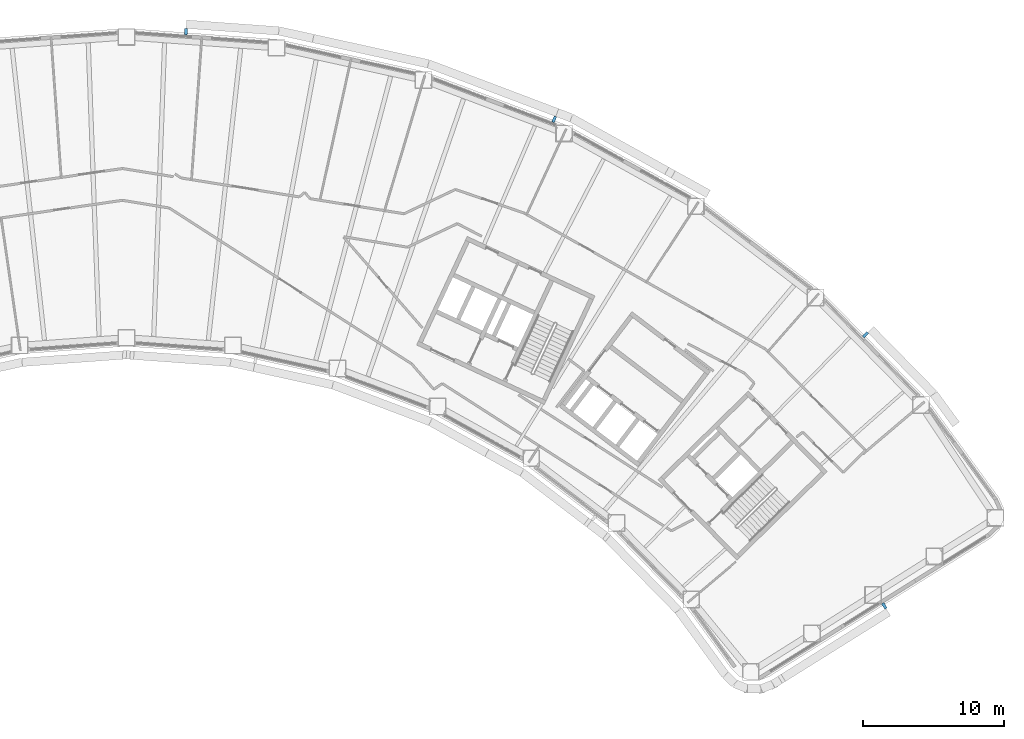
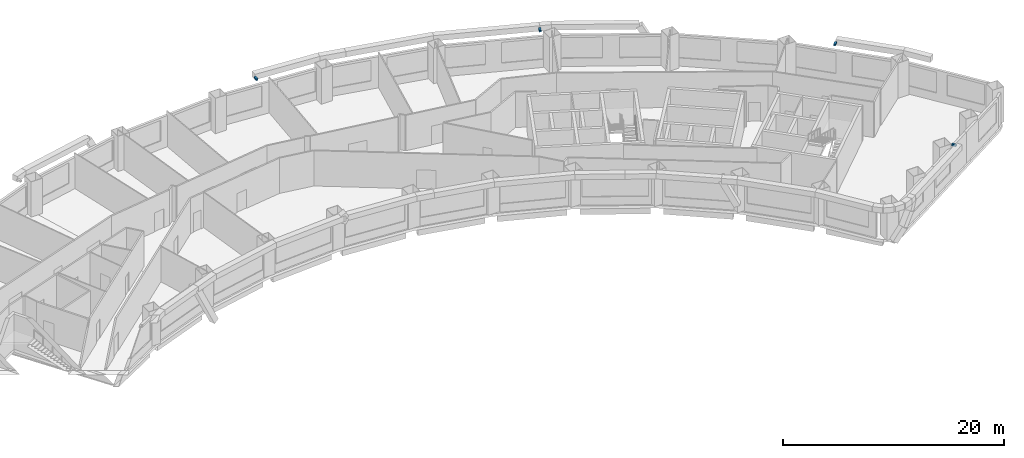
# One storey, part 12 of 15: 4 discrete accessories.
"""IFC4 building model written with IfcOpenShell, lengths in metres."""

from ifc_helpers import new_model, si_unit, direction, frame, origin, origin_2d, place, context, subcontext, project, spatial, rectangle, extrude, material, type_object, element, save


model = new_model("IFC4")

# Units and contexts
model_context = context("Model", 3, precision=1e-05, world=origin(), true_north=direction((0.0, 1.0)))
body_context = subcontext(model_context, "Body", "Model", "MODEL_VIEW")
ifc_project = project(units=[si_unit("LENGTHUNIT", "METRE"), si_unit("AREAUNIT", "SQUARE_METRE"), si_unit("VOLUMEUNIT", "CUBIC_METRE"), si_unit("PLANEANGLEUNIT", "RADIAN"), si_unit("MASSUNIT", "GRAM", prefix="KILO")], contexts=[model_context])

# Site, building, storey
site_placement = place(None, origin())
site = spatial("IfcSite", under=ifc_project, at=site_placement, CompositionType="ELEMENT")
building_placement = place(site_placement, origin())
building = spatial("IfcBuilding", under=site, at=building_placement, Name="Tuul Gate Civic Tower", CompositionType="ELEMENT")
storey_placement = place(building_placement, frame((0.0, 0.0, 78.0)))
storey = spatial("IfcBuildingStorey", under=building, at=storey_placement, Name="Level 17", CompositionType="ELEMENT", Elevation=78.0)

# Discrete accessories
ifc_material = material(Name="Stainless steel", Category="steel")
discrete_accessory_type = type_object("IfcDiscreteAccessoryType", Name="Screen bracket", PredefinedType="BRACKET", material=ifc_material)
discrete_accessory_1_placement = place(storey_placement, frame((57.243896484375, -2.429443359375, 3.75), z_axis=(0.0, 0.0, 1.0), x_axis=(0.70489547187, 0.709311196681, 0.0)))
element("IfcDiscreteAccessory", 1, at=discrete_accessory_1_placement, inside=storey, type_object=discrete_accessory_type, Name="Screen bracket 3", PredefinedType="BRACKET", context=body_context, shape_type="SweptSolid", body=[
    extrude(rectangle(XDim=0.449951171875, YDim=0.199951171875, at=origin_2d()), origin(), (0.0, 0.0, 1.0), 0.199951171875),
])
discrete_accessory_2_placement = place(storey_placement, frame((35.16357421875, 12.850341796875, 3.75), z_axis=(0.0, 0.0, 1.0), x_axis=(0.407436481728, 0.91323354809, 0.0)))
element("IfcDiscreteAccessory", 2, at=discrete_accessory_2_placement, inside=storey, type_object=discrete_accessory_type, Name="Screen bracket 6", PredefinedType="BRACKET", context=body_context, shape_type="SweptSolid", body=[
    extrude(rectangle(XDim=0.45068359375, YDim=0.199951171875, at=origin_2d()), origin(), (0.0, 0.0, 1.0), 0.199951171875),
])
discrete_accessory_3_placement = place(storey_placement, frame((9.03466796875, 19.077392578125, 3.75), z_axis=(0.0, 0.0, 1.0), x_axis=(0.056809536162, 0.998385034243, 0.0)))
element("IfcDiscreteAccessory", 3, at=discrete_accessory_3_placement, inside=storey, type_object=discrete_accessory_type, Name="Screen bracket 9", PredefinedType="BRACKET", context=body_context, shape_type="SweptSolid", body=[
    extrude(rectangle(XDim=0.4501953125, YDim=0.199951171875, at=origin_2d()), origin(), (0.0, 0.0, 1.0), 0.199951171875),
])
discrete_accessory_4_placement = place(storey_placement, frame((58.5888671875, -21.67431640625, 3.75), z_axis=(0.0, 0.0, 1.0), x_axis=(0.536424954277, -0.84394802472, 0.0)))
element("IfcDiscreteAccessory", 4, at=discrete_accessory_4_placement, inside=storey, type_object=discrete_accessory_type, Name="Screen bracket 33", PredefinedType="BRACKET", context=body_context, shape_type="SweptSolid", body=[
    extrude(rectangle(XDim=0.449951171875, YDim=0.199951171875, at=origin_2d()), origin(), (0.0, 0.0, 1.0), 0.199951171875),
])

save(model, "model.ifc")
